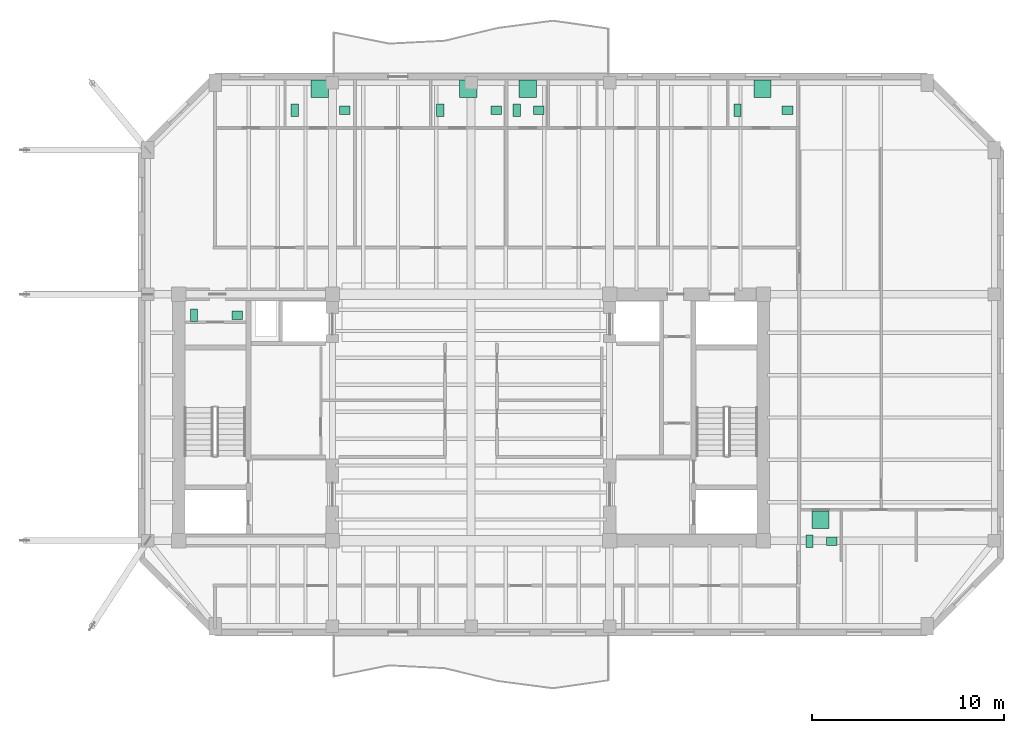
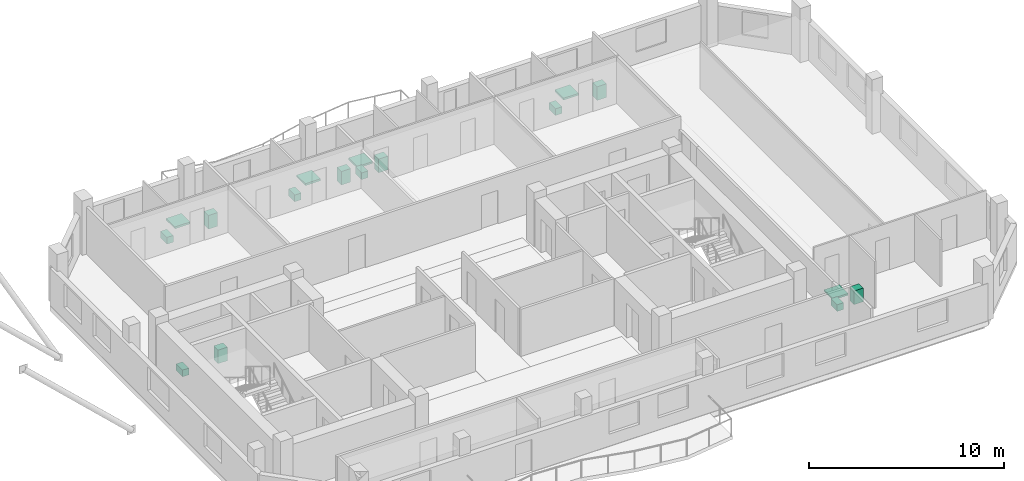
# One storey, part 10 of 10: 17 sanitary terminals.
"""IFC4 building model written with IfcOpenShell, lengths in metres."""

from ifc_helpers import new_model, si_unit, direction, frame, origin, origin_2d, place, context, subcontext, project, spatial, rectangle, extrude, material, type_object, element, save


model = new_model("IFC4")

# Units and contexts
model_context = context("Model", 3, precision=1e-05, world=origin(), true_north=direction((0.0, 1.0)))
body_context = subcontext(model_context, "Body", "Model", "MODEL_VIEW")
ifc_project = project(units=[si_unit("LENGTHUNIT", "METRE"), si_unit("AREAUNIT", "SQUARE_METRE"), si_unit("VOLUMEUNIT", "CUBIC_METRE"), si_unit("PLANEANGLEUNIT", "RADIAN"), si_unit("MASSUNIT", "GRAM", prefix="KILO")], contexts=[model_context])

# Site, building, storey
site_placement = place(None, origin())
site = spatial("IfcSite", under=ifc_project, at=site_placement, CompositionType="ELEMENT")
building_placement = place(site_placement, origin())
building = spatial("IfcBuilding", under=site, at=building_placement, Name="Kranthara Brick Stack", CompositionType="ELEMENT")
storey_placement = place(building_placement, frame((0.0, 0.0, 265.300048828125)))
storey = spatial("IfcBuildingStorey", under=building, at=storey_placement, Name="L70", CompositionType="ELEMENT", Elevation=265.300048828125)

# Sanitary terminals
ifc_material_1 = material(Name="Vitreous china sanitary porcelain", Category="other")
sanitary_terminal_type_1 = type_object("IfcSanitaryTerminalType", Name="SAN-BASIN", PredefinedType="WASHHANDBASIN", material=ifc_material_1)
for number, where, z_axis, x_axis, name in (
    (1, (15.85009765625, 32.5048828125, 0.0), (0.0, 0.0, 1.0), (1.0, 0.0, 0.0), "L70 Washbasin 363"),
    (2, (21.43701171875, 43.175048828125, 0.0), (0.0, 0.0, 1.0), (1.0, 0.0, 0.0), "L70 Washbasin 364"),
    (3, (29.31005859375, 43.175048828125, 0.0), (0.0, 0.0, 1.0), (1.0, 0.0, 0.0), "L70 Washbasin 365"),
    (4, (31.52001953125, 43.175048828125, 0.0), (0.0, 0.0, 1.0), (1.0, 0.0, 0.0), "L70 Washbasin 366"),
    (5, (44.449951171875, 43.175048828125, 0.0), (0.0, 0.0, 1.0), (1.0, 0.0, 0.0), "L70 Washbasin 367"),
    (6, (46.739990234375, 20.77490234375, 0.0), (0.0, 0.0, 1.0), (1.0, 0.0, 0.0), "L70 Washbasin 368"),
):
    element("IfcSanitaryTerminal", number, at=place(storey_placement, frame(where, z_axis=z_axis, x_axis=x_axis)), inside=storey, type_object=sanitary_terminal_type_1, Name=name, PredefinedType="WASHHANDBASIN", context=body_context, shape_type="SweptSolid", body=[
        extrude(rectangle(XDim=0.550048828125, YDim=0.449951171875, at=origin_2d()), origin(), (0.0, 0.0, 1.0), 0.85009765625),
    ])
ifc_material_2 = material(Name="Acrylic and porcelain shower tray", Category="other")
sanitary_terminal_type_2 = type_object("IfcSanitaryTerminalType", Name="SAN-SHOWER", PredefinedType="SHOWER", material=ifc_material_2)
for number, where, z_axis, x_axis, name in (
    (7, (20.135986328125, 44.280029296875, 0.0), (0.0, 0.0, 1.0), (1.0, 0.0, 0.0), "L70 Shower Tray 364"),
    (8, (27.85693359375, 44.280029296875, 0.0), (0.0, 0.0, 1.0), (1.0, 0.0, 0.0), "L70 Shower Tray 365"),
    (9, (30.945068359375, 44.280029296875, 0.0), (0.0, 0.0, 1.0), (1.0, 0.0, 0.0), "L70 Shower Tray 366"),
    (10, (43.14794921875, 44.280029296875, 0.0), (0.0, 0.0, 1.0), (1.0, 0.0, 0.0), "L70 Shower Tray 367"),
    (11, (46.1650390625, 21.8798828125, 0.0), (0.0, 0.0, 1.0), (1.0, 0.0, 0.0), "L70 Shower Tray 368"),
):
    element("IfcSanitaryTerminal", number, at=place(storey_placement, frame(where, z_axis=z_axis, x_axis=x_axis)), inside=storey, type_object=sanitary_terminal_type_2, Name=name, PredefinedType="SHOWER", context=body_context, shape_type="SweptSolid", body=[
        extrude(rectangle(XDim=0.89990234375, YDim=0.89990234375, at=origin_2d()), origin(), (0.0, 0.0, 1.0), 0.1201171875),
    ])
ifc_material_3 = material(Name="Vitreous china sanitary porcelain", Category="other")
sanitary_terminal_type_3 = type_object("IfcSanitaryTerminalType", Name="SAN-WC-PAN", PredefinedType="TOILETPAN", material=ifc_material_3)
for number, where, z_axis, x_axis, name in (
    (12, (13.60009765625, 32.5048828125, 0.0), (0.0, 0.0, 1.0), (1.0, 0.0, 0.0), "L70 WC Pan 363"),
    (13, (18.833984375, 43.175048828125, 0.0), (0.0, 0.0, 1.0), (1.0, 0.0, 0.0), "L70 WC Pan 364"),
    (14, (26.404052734375, 43.175048828125, 0.0), (0.0, 0.0, 1.0), (1.0, 0.0, 0.0), "L70 WC Pan 365"),
    (15, (30.3701171875, 43.175048828125, 0.0), (0.0, 0.0, 1.0), (1.0, 0.0, 0.0), "L70 WC Pan 366"),
    (16, (41.845947265625, 43.175048828125, 0.0), (0.0, 0.0, 1.0), (1.0, 0.0, 0.0), "L70 WC Pan 367"),
    (17, (45.590087890625, 20.77490234375, 0.0), (0.0, 0.0, 1.0), (1.0, 0.0, 0.0), "L70 WC Pan 368"),
):
    element("IfcSanitaryTerminal", number, at=place(storey_placement, frame(where, z_axis=z_axis, x_axis=x_axis)), inside=storey, type_object=sanitary_terminal_type_3, Name=name, PredefinedType="TOILETPAN", context=body_context, shape_type="SweptSolid", body=[
        extrude(rectangle(XDim=0.3798828125, YDim=0.64990234375, at=origin_2d()), origin(), (0.0, 0.0, 1.0), 0.419921875),
    ])

save(model, "model.ifc")
